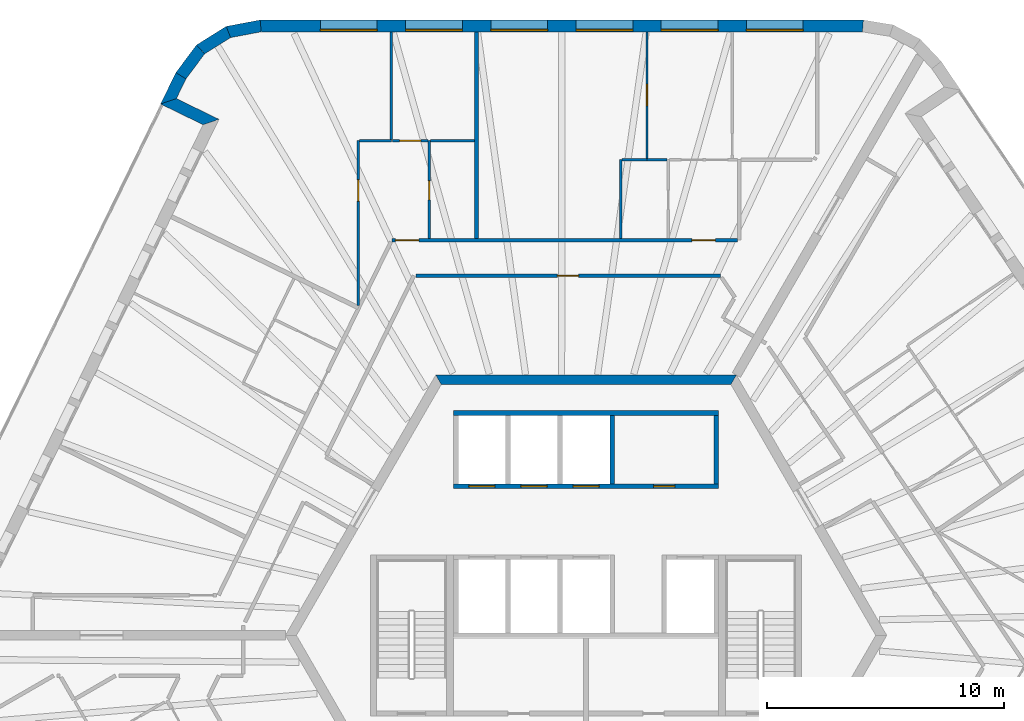
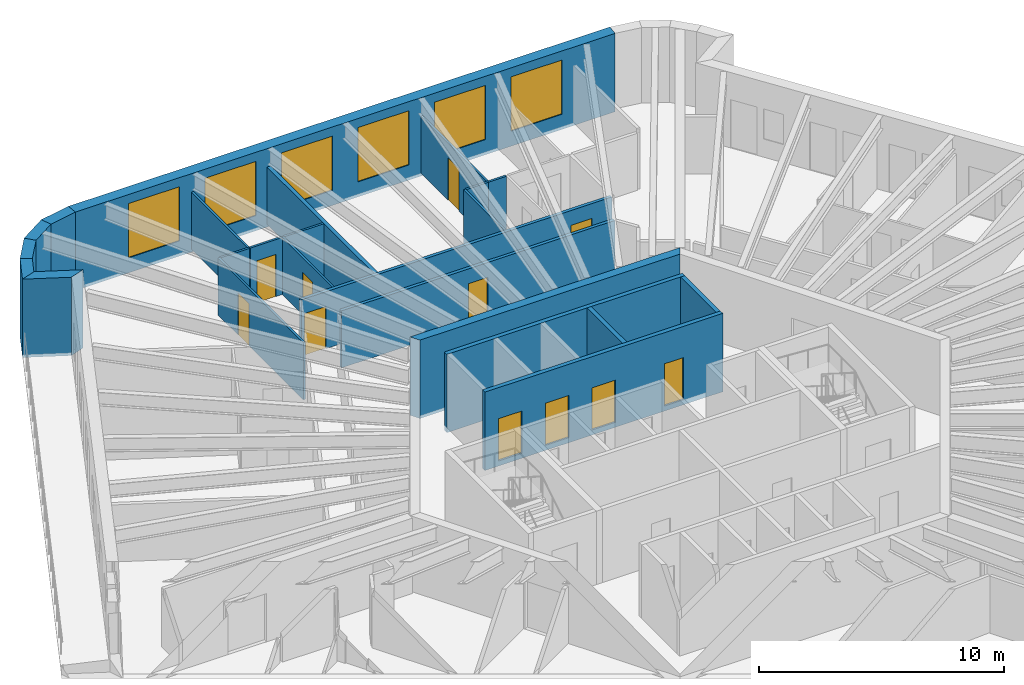
# One storey, part 9 of 12: 24 walls, 11 doors, 6 windows, 17 openings.
"""IFC4 building model written with IfcOpenShell, lengths in metres."""

from ifc_helpers import new_model, si_unit, direction, frame, frame_2d, origin, place, context, subcontext, project, spatial, polyline, rectangle, outline, extrude, material, layer, layer_set, type_object, element, fill, save


model = new_model("IFC4")

# Units and contexts
model_context = context("Model", 3, precision=1e-05, world=origin(), true_north=direction((0.0, 1.0)))
body_context = subcontext(model_context, "Body", "Model", "MODEL_VIEW")
ifc_project = project(units=[si_unit("LENGTHUNIT", "METRE"), si_unit("AREAUNIT", "SQUARE_METRE"), si_unit("VOLUMEUNIT", "CUBIC_METRE"), si_unit("PLANEANGLEUNIT", "RADIAN"), si_unit("MASSUNIT", "GRAM", prefix="KILO")], contexts=[model_context])

# Site, building, storey
site_placement = place(None, origin())
site = spatial("IfcSite", under=ifc_project, at=site_placement, CompositionType="ELEMENT")
building_placement = place(site_placement, origin())
building = spatial("IfcBuilding", under=site, at=building_placement, Name="Tarnside Tower", CompositionType="ELEMENT")
storey_placement = place(building_placement, frame((0.0, 0.0, 330.300048828125)))
storey = spatial("IfcBuildingStorey", under=building, at=storey_placement, Name="L80", CompositionType="ELEMENT", Elevation=330.300048828125)

# Walls
ifc_material_1 = material(Name="Gypsum board partition on steel studs", Category="steel")
ifc_layer_1 = layer(ifc_material_1, 0.10009765625)
ifc_layer_set_1 = layer_set([ifc_layer_1], Name="Bathroom wall 100")
wall_type_1 = type_object("IfcWallType", Name="Bathroom wall 100", PredefinedType="PARTITIONING", material=ifc_layer_set_1)
wall_1_placement = place(storey_placement, frame((1.467041015625, 16.77490234375, 0.0), z_axis=(0.0, 0.0, 1.0), x_axis=(0.0, 1.0, 0.0)))
element("IfcWall", 1, at=wall_1_placement, inside=storey, type_object=wall_type_1, Name="Bathroom wall 26084", PredefinedType="PARTITIONING", context=body_context, shape_type="SweptSolid", body=[
    extrude(rectangle(XDim=3.3251953125, YDim=0.10009765625, at=frame_2d((1.66259765625, 0.0))), origin(), (0.0, 0.0, 1.0), 2.837646484375),
])
wall_2_placement = place(storey_placement, frame((1.51708984375, 20.10009765625, 0.0), z_axis=(0.0, 0.0, 1.0), x_axis=(1.0, 0.0, 0.0)))
element("IfcWall", 2, at=wall_2_placement, inside=storey, type_object=wall_type_1, Name="Bathroom wall 26085", PredefinedType="PARTITIONING", context=body_context, shape_type="SweptSolid", body=[
    extrude(rectangle(XDim=1.06005859375, YDim=0.10009765625, at=frame_2d((0.530029296875, 0.0))), origin(), (0.0, 0.0, 1.0), 2.837646484375),
])
wall_3_placement = place(storey_placement, frame((3.419189453125, 20.10009765625, 0.0), z_axis=(0.0, 0.0, 1.0), x_axis=(-1.0, 0.0, 0.0)))
element("IfcWall", 3, at=wall_3_placement, inside=storey, type_object=wall_type_1, Name="Bathroom wall 26092", PredefinedType="PARTITIONING", context=body_context, shape_type="SweptSolid", body=[
    extrude(rectangle(XDim=0.843994140625, YDim=0.10009765625, at=frame_2d((0.421875, 0.0))), origin(), (0.0, 0.0, 1.0), 2.837646484375),
])

# Wall, opening, door
wall_4_placement = place(storey_placement, frame((-6.624755859375, 16.77490234375, 0.0), z_axis=(0.0, 0.0, 1.0), x_axis=(0.0, 1.0, 0.0)))
wall_4 = element("IfcWall", 4, at=wall_4_placement, inside=storey, type_object=wall_type_1, Name="Bathroom wall 26099", PredefinedType="PARTITIONING", context=body_context, shape_type="SweptSolid", body=[
    extrude(rectangle(XDim=4.125, YDim=0.10009765625, at=frame_2d((2.0625, 0.0))), origin(), (0.0, 0.0, 1.0), 2.837646484375),
])
opening_1_placement = place(wall_4_placement, frame((1.625, 0.0, 0.0)))
opening_1 = element("IfcOpeningElement", 5, at=opening_1_placement, cuts=wall_4, Name="Opening D-B1", PredefinedType="OPENING", context=body_context, shape_type="SweptSolid", body=[
    extrude(rectangle(XDim=0.800048828125, YDim=2.10009765625, at=frame_2d((0.39990234375, 1.050048828125))), frame((0.0, 0.06005859375, 0.0), z_axis=(0.0, -1.0, 0.0), x_axis=(1.0, 0.0, 0.0)), (0.0, 0.0, 1.0), 0.1201171875),
])
ifc_material_2 = material(Name="Timber door leaf", Category="wood")
door_type_1 = type_object("IfcDoorType", Name="Bathroom door 800", OperationType="NOTDEFINED", PredefinedType="DOOR", material=ifc_material_2)
door_1_placement = place(opening_1_placement, origin())
door_1 = element("IfcDoor", 6, at=door_1_placement, inside=storey, type_object=door_type_1, Name="Bathroom door 26011", OperationType="SINGLE_SWING_RIGHT", OverallHeight=2.10009765625, OverallWidth=0.800048828125, PredefinedType="DOOR", context=body_context, shape_type="SweptSolid", body=[
    extrude(rectangle(XDim=0.800048828125, YDim=2.10009765625, at=frame_2d((0.39990234375, 1.050048828125))), frame((0.0, 0.02490234375, 0.0), z_axis=(0.0, -1.0, 0.0), x_axis=(1.0, 0.0, 0.0)), (0.0, 0.0, 1.0), 0.050048828125),
])
fill(opening_1, door_1)

# Walls
wall_5_placement = place(storey_placement, frame((-4.71484375, 20.89990234375, 0.0), z_axis=(0.0, 0.0, 1.0), x_axis=(-1.0, 0.0, 0.0)))
element("IfcWall", 7, at=wall_5_placement, inside=storey, type_object=wall_type_1, Name="Bathroom wall 26101", PredefinedType="PARTITIONING", context=body_context, shape_type="SweptSolid", body=[
    extrude(rectangle(XDim=1.862060546875, YDim=0.10009765625, at=frame_2d((0.93115234375, 0.0))), origin(), (0.0, 0.0, 1.0), 2.837646484375),
])
ifc_material_3 = material(Name="Concrete C60/75", Category="concrete")
ifc_layer_2 = layer(ifc_material_3, 0.39990234375)
ifc_layer_set_2 = layer_set([ifc_layer_2], Name="Core wall Z3 400 C60/75")
wall_type_2 = type_object("IfcWallType", Name="Core wall Z3 400 C60/75", PredefinedType="SHEAR", material=ifc_layer_set_2)
wall_6_placement = place(storey_placement, frame((6.2353515625, 10.800048828125, -0.150146484375), z_axis=(0.0, 0.0, 1.0), x_axis=(-1.0, 0.0, 0.0)))
element("IfcWall", 8, at=wall_6_placement, inside=storey, type_object=wall_type_2, Name="L80 core wall face 1", PredefinedType="SHEAR", context=body_context, shape_type="SweptSolid", body=[
    extrude(outline(polyline([(-0.115478515625, -0.199951171875), (12.586181640625, -0.199951171875), (12.355224609375, 0.199951171875), (0.115478515625, 0.199951171875), (-0.115478515625, -0.199951171875)])), origin(), (0.0, 0.0, 1.0), 3.900146484375),
])

# Wall, openings, doors
ifc_layer_3 = layer(ifc_material_1, 0.14990234375)
ifc_layer_set_3 = layer_set([ifc_layer_3], Name="Corridor wall 150 EI 60")
wall_type_3 = type_object("IfcWallType", Name="Corridor wall 150 EI 60", PredefinedType="PARTITIONING", material=ifc_layer_set_3)
wall_7_placement = place(storey_placement, frame((6.39208984375, 16.699951171875, 0.0), z_axis=(0.0, 0.0, 1.0), x_axis=(-1.0, 0.0, 0.0)))
wall_7 = element("IfcWall", 9, at=wall_7_placement, inside=storey, type_object=wall_type_3, Name="Corridor wall 26001", PredefinedType="PARTITIONING", context=body_context, shape_type="SweptSolid", body=[
    extrude(rectangle(XDim=14.602294921875, YDim=0.14990234375, at=frame_2d((7.30126953125, 0.0))), origin(), (0.0, 0.0, 1.0), 2.837646484375),
])
opening_2_placement = place(wall_7_placement, frame((0.925048828125, 0.0, 0.0)))
opening_2 = element("IfcOpeningElement", 10, at=opening_2_placement, cuts=wall_7, Name="Opening D-E1", PredefinedType="OPENING", context=body_context, shape_type="SweptSolid", body=[
    extrude(rectangle(XDim=1.0, YDim=2.10009765625, at=frame_2d((0.5, 1.050048828125))), frame((0.0, 0.0849609375, 0.0), z_axis=(0.0, -1.0, 0.0), x_axis=(1.0, 0.0, 0.0)), (0.0, 0.0, 1.0), 0.169921875),
])
opening_3_placement = place(wall_7_placement, frame((13.4521484375, 0.0, 0.0)))
opening_3 = element("IfcOpeningElement", 11, at=opening_3_placement, cuts=wall_7, Name="Opening D-E1", PredefinedType="OPENING", context=body_context, shape_type="SweptSolid", body=[
    extrude(rectangle(XDim=1.0, YDim=2.10009765625, at=frame_2d((0.5, 1.050048828125))), frame((0.0, 0.0849609375, 0.0), z_axis=(0.0, -1.0, 0.0), x_axis=(1.0, 0.0, 0.0)), (0.0, 0.0, 1.0), 0.169921875),
])
door_type_2 = type_object("IfcDoorType", Name="Unit entrance door 1000 FD30S", OperationType="NOTDEFINED", PredefinedType="DOOR", material=ifc_material_2)
door_2_placement = place(opening_2_placement, origin())
door_2 = element("IfcDoor", 12, at=door_2_placement, inside=storey, type_object=door_type_2, Name="Unit door 26001", OperationType="SINGLE_SWING_RIGHT", OverallHeight=2.10009765625, OverallWidth=1.0, PredefinedType="DOOR", context=body_context, shape_type="SweptSolid", body=[
    extrude(rectangle(XDim=1.0, YDim=2.10009765625, at=frame_2d((0.5, 1.050048828125))), frame((0.0, 0.02490234375, 0.0), z_axis=(0.0, -1.0, 0.0), x_axis=(1.0, 0.0, 0.0)), (0.0, 0.0, 1.0), 0.050048828125),
])
fill(opening_2, door_2)
door_3_placement = place(opening_3_placement, origin())
door_3 = element("IfcDoor", 13, at=door_3_placement, inside=storey, type_object=door_type_2, Name="Unit door 26010", OperationType="SINGLE_SWING_LEFT", OverallHeight=2.10009765625, OverallWidth=1.0, PredefinedType="DOOR", context=body_context, shape_type="SweptSolid", body=[
    extrude(rectangle(XDim=1.0, YDim=2.10009765625, at=frame_2d((0.5, 1.050048828125))), frame((0.0, 0.02490234375, 0.0), z_axis=(0.0, -1.0, 0.0), x_axis=(1.0, 0.0, 0.0)), (0.0, 0.0, 1.0), 0.050048828125),
])
fill(opening_3, door_3)

# Wall, opening, door
wall_8_placement = place(storey_placement, frame((-7.189453125, 15.199951171875, 0.0), z_axis=(0.0, 0.0, 1.0), x_axis=(1.0, 0.0, 0.0)))
wall_8 = element("IfcWall", 14, at=wall_8_placement, inside=storey, type_object=wall_type_3, Name="Corridor wall 26019", PredefinedType="PARTITIONING", context=body_context, shape_type="SweptSolid", body=[
    extrude(rectangle(XDim=12.85888671875, YDim=0.14990234375, at=frame_2d((6.429443359375, 0.0))), origin(), (0.0, 0.0, 1.0), 2.837646484375),
])
opening_4_placement = place(wall_8_placement, frame((5.9794921875, 0.0, 0.0)))
opening_4 = element("IfcOpeningElement", 15, at=opening_4_placement, cuts=wall_8, Name="Opening D-S1", PredefinedType="OPENING", context=body_context, shape_type="SweptSolid", body=[
    extrude(rectangle(XDim=0.89990234375, YDim=2.10009765625, at=frame_2d((0.449951171875, 1.050048828125))), frame((0.0, 0.0849609375, 0.0), z_axis=(0.0, -1.0, 0.0), x_axis=(1.0, 0.0, 0.0)), (0.0, 0.0, 1.0), 0.169921875),
])
door_type_3 = type_object("IfcDoorType", Name="Service room door 900 FD30S", OperationType="NOTDEFINED", PredefinedType="DOOR", material=ifc_material_2)
door_4_placement = place(opening_4_placement, origin())
door_4 = element("IfcDoor", 16, at=door_4_placement, inside=storey, type_object=door_type_3, Name="Service door 26072", OperationType="SINGLE_SWING_LEFT", OverallHeight=2.10009765625, OverallWidth=0.89990234375, PredefinedType="DOOR", context=body_context, shape_type="SweptSolid", body=[
    extrude(rectangle(XDim=0.89990234375, YDim=2.10009765625, at=frame_2d((0.449951171875, 1.050048828125))), frame((0.0, 0.02490234375, 0.0), z_axis=(0.0, -1.0, 0.0), x_axis=(1.0, 0.0, 0.0)), (0.0, 0.0, 1.0), 0.050048828125),
])
fill(opening_4, door_4)

# Wall
ifc_layer_4 = layer(ifc_material_1, 0.179931640625)
ifc_layer_set_4 = layer_set([ifc_layer_4], Name="Demising wall 180 EI 60")
wall_type_4 = type_object("IfcWallType", Name="Demising wall 180 EI 60", PredefinedType="PARTITIONING", material=ifc_layer_set_4)
wall_9_placement = place(storey_placement, frame((-4.624755859375, 25.5, 0.0), z_axis=(0.0, 0.0, 1.0), x_axis=(0.0, -1.0, 0.0)))
element("IfcWall", 17, at=wall_9_placement, inside=storey, type_object=wall_type_4, Name="Demising wall 26087", PredefinedType="PARTITIONING", context=body_context, shape_type="SweptSolid", body=[
    extrude(rectangle(XDim=8.72509765625, YDim=0.179931640625, at=frame_2d((4.362548828125, 0.0))), origin(), (0.0, 0.0, 1.0), 2.837646484375),
])

# Wall, openings, doors
ifc_material_4 = material(Name="Concrete C40/50", Category="concrete")
ifc_layer_5 = layer(ifc_material_4, 0.199951171875)
ifc_layer_set_5 = layer_set([ifc_layer_5], Name="Lift shaft wall 200 C40/50")
wall_type_5 = type_object("IfcWallType", Name="Lift shaft wall 200 C40/50", PredefinedType="SHEAR", material=ifc_layer_set_5)
wall_10_placement = place(storey_placement, frame((-5.60009765625, 6.300048828125, -0.25), z_axis=(0.0, 0.0, 1.0), x_axis=(1.0, 0.0, 0.0)))
wall_10 = element("IfcWall", 18, at=wall_10_placement, inside=storey, type_object=wall_type_5, Name="L80 lift shaft front wall R1", PredefinedType="SHEAR", context=body_context, shape_type="SweptSolid", body=[
    extrude(rectangle(XDim=11.2001953125, YDim=0.199951171875, at=frame_2d((5.60009765625, 0.0))), origin(), (0.0, 0.0, 1.0), 3.89990234375),
])
opening_5_placement = place(wall_10_placement, frame((8.449951171875, 0.0, 0.25)))
opening_5 = element("IfcOpeningElement", 19, at=opening_5_placement, cuts=wall_10, Name="Opening CD-room", PredefinedType="OPENING", context=body_context, shape_type="SweptSolid", body=[
    extrude(rectangle(XDim=0.89990234375, YDim=2.10009765625, at=frame_2d((0.449951171875, 1.050048828125))), frame((0.0, 0.10986328125, 0.0), z_axis=(0.0, -1.0, 0.0), x_axis=(1.0, 0.0, 0.0)), (0.0, 0.0, 1.0), 0.219970703125),
])
opening_6_placement = place(wall_10_placement, frame((0.64990234375, 0.0, 0.25)))
opening_6 = element("IfcOpeningElement", 20, at=opening_6_placement, cuts=wall_10, Name="Opening LD", PredefinedType="OPENING", context=body_context, shape_type="SweptSolid", body=[
    extrude(rectangle(XDim=1.10009765625, YDim=2.10009765625, at=frame_2d((0.550048828125, 1.050048828125))), frame((0.0, 0.10986328125, 0.0), z_axis=(0.0, -1.0, 0.0), x_axis=(1.0, 0.0, 0.0)), (0.0, 0.0, 1.0), 0.219970703125),
])
opening_7_placement = place(wall_10_placement, frame((2.85009765625, 0.0, 0.25)))
opening_7 = element("IfcOpeningElement", 21, at=opening_7_placement, cuts=wall_10, Name="Opening LD", PredefinedType="OPENING", context=body_context, shape_type="SweptSolid", body=[
    extrude(rectangle(XDim=1.10009765625, YDim=2.10009765625, at=frame_2d((0.550048828125, 1.050048828125))), frame((0.0, 0.10986328125, 0.0), z_axis=(0.0, -1.0, 0.0), x_axis=(1.0, 0.0, 0.0)), (0.0, 0.0, 1.0), 0.219970703125),
])
opening_8_placement = place(wall_10_placement, frame((5.050048828125, 0.0, 0.25)))
opening_8 = element("IfcOpeningElement", 22, at=opening_8_placement, cuts=wall_10, Name="Opening LD", PredefinedType="OPENING", context=body_context, shape_type="SweptSolid", body=[
    extrude(rectangle(XDim=1.10009765625, YDim=2.10009765625, at=frame_2d((0.550048828125, 1.050048828125))), frame((0.0, 0.10986328125, 0.0), z_axis=(0.0, -1.0, 0.0), x_axis=(1.0, 0.0, 0.0)), (0.0, 0.0, 1.0), 0.219970703125),
])
ifc_material_5 = material(Name="Stainless steel", Category="steel")
door_type_4 = type_object("IfcDoorType", Name="Lift landing door 1100x2100", OperationType="NOTDEFINED", PredefinedType="DOOR", material=ifc_material_5)
door_5_placement = place(opening_6_placement, origin())
door_5 = element("IfcDoor", 23, at=door_5_placement, inside=storey, type_object=door_type_4, Name="High-rise lift 1 landing door L80", OperationType="SLIDING_TO_LEFT", OverallHeight=2.10009765625, OverallWidth=1.10009765625, PredefinedType="DOOR", context=body_context, shape_type="SweptSolid", body=[
    extrude(rectangle(XDim=1.10009765625, YDim=2.10009765625, at=frame_2d((0.550048828125, 1.050048828125))), frame((0.0, 0.02490234375, 0.0), z_axis=(0.0, -1.0, 0.0), x_axis=(1.0, 0.0, 0.0)), (0.0, 0.0, 1.0), 0.050048828125),
])
fill(opening_6, door_5)
door_6_placement = place(opening_7_placement, origin())
door_6 = element("IfcDoor", 24, at=door_6_placement, inside=storey, type_object=door_type_4, Name="High-rise lift 2 landing door L80", OperationType="SLIDING_TO_LEFT", OverallHeight=2.10009765625, OverallWidth=1.10009765625, PredefinedType="DOOR", context=body_context, shape_type="SweptSolid", body=[
    extrude(rectangle(XDim=1.10009765625, YDim=2.10009765625, at=frame_2d((0.550048828125, 1.050048828125))), frame((0.0, 0.02490234375, 0.0), z_axis=(0.0, -1.0, 0.0), x_axis=(1.0, 0.0, 0.0)), (0.0, 0.0, 1.0), 0.050048828125),
])
fill(opening_7, door_6)
door_7_placement = place(opening_8_placement, origin())
door_7 = element("IfcDoor", 25, at=door_7_placement, inside=storey, type_object=door_type_4, Name="High-rise lift 3 landing door L80", OperationType="SLIDING_TO_LEFT", OverallHeight=2.10009765625, OverallWidth=1.10009765625, PredefinedType="DOOR", context=body_context, shape_type="SweptSolid", body=[
    extrude(rectangle(XDim=1.10009765625, YDim=2.10009765625, at=frame_2d((0.550048828125, 1.050048828125))), frame((0.0, 0.02490234375, 0.0), z_axis=(0.0, -1.0, 0.0), x_axis=(1.0, 0.0, 0.0)), (0.0, 0.0, 1.0), 0.050048828125),
])
fill(opening_8, door_7)
ifc_material_6 = material(Name="Steel fire door", Category="steel")
door_type_5 = type_object("IfcDoorType", Name="Room door FD60 900x2100", OperationType="NOTDEFINED", PredefinedType="DOOR", material=ifc_material_6)
door_8_placement = place(opening_5_placement, origin())
door_8 = element("IfcDoor", 26, at=door_8_placement, inside=storey, type_object=door_type_5, Name="L80 core room door FC1", OperationType="SINGLE_SWING_LEFT", OverallHeight=2.10009765625, OverallWidth=0.89990234375, PredefinedType="DOOR", context=body_context, shape_type="SweptSolid", body=[
    extrude(rectangle(XDim=0.89990234375, YDim=2.10009765625, at=frame_2d((0.449951171875, 1.050048828125))), frame((0.0, 0.02490234375, 0.0), z_axis=(0.0, -1.0, 0.0), x_axis=(1.0, 0.0, 0.0)), (0.0, 0.0, 1.0), 0.050048828125),
])
fill(opening_5, door_8)

# Walls
wall_11_placement = place(storey_placement, frame((-5.60009765625, 9.39990234375, -0.25), z_axis=(0.0, 0.0, 1.0), x_axis=(1.0, 0.0, 0.0)))
element("IfcWall", 27, at=wall_11_placement, inside=storey, type_object=wall_type_5, Name="L80 lift shaft back wall R1", PredefinedType="SHEAR", context=body_context, shape_type="SweptSolid", body=[
    extrude(rectangle(XDim=11.2001953125, YDim=0.199951171875, at=frame_2d((5.60009765625, 0.0))), origin(), (0.0, 0.0, 1.0), 3.89990234375),
])
for number, where, z_axis, x_axis, name in (
    (28, (1.10009765625, 6.39990234375, -0.25), (0.0, 0.0, 1.0), (0.0, 1.0, 0.0), "L80 lift shaft partition R14"),
    (29, (5.5, 6.39990234375, -0.25), (0.0, 0.0, 1.0), (0.0, 1.0, 0.0), "L80 lift shaft partition R16"),
):
    element("IfcWall", number, at=place(storey_placement, frame(where, z_axis=z_axis, x_axis=x_axis)), inside=storey, type_object=wall_type_5, Name=name, PredefinedType="SHEAR", context=body_context, shape_type="SweptSolid", body=[
        extrude(rectangle(XDim=2.900146484375, YDim=0.199951171875, at=frame_2d((1.4501953125, 0.0))), origin(), (0.0, 0.0, 1.0), 3.89990234375),
    ])
ifc_material_7 = material(Name="Dark zinc cladding")
ifc_layer_6 = layer(ifc_material_7, 0.10205078125)
ifc_material_8 = material(Name="Concrete C60/75 precast", Category="concrete")
ifc_layer_7 = layer(ifc_material_8, 0.298095703125)
ifc_material_9 = material(Name="Mineral wool insulation")
ifc_layer_8 = layer(ifc_material_9, 0.10009765625)
ifc_layer_set_6 = layer_set([ifc_layer_6, ifc_layer_7, ifc_layer_8], Name="Loggia wall 500 zinc faced")
wall_type_6 = type_object("IfcWallType", Name="Loggia wall 500 zinc faced", PredefinedType="SOLIDWALL", material=ifc_layer_set_6)
wall_12_placement = place(storey_placement, frame((-17.11767578125, 23.643798828125, -0.150146484375), z_axis=(0.0, 0.0, 1.0), x_axis=(-0.438319390103, -0.898819287877, 0.0)))
element("IfcWall", 30, at=wall_12_placement, inside=storey, type_object=wall_type_6, Name="Tube wall L80 F2 stub 04", PredefinedType="SOLIDWALL", context=body_context, shape_type="SweptSolid", body=[
    extrude(outline(polyline([(-0.0234375, -0.25), (1.44970703125, -0.25), (0.94970703125, 0.25), (0.0234375, 0.25), (-0.0234375, -0.25)])), origin(), (0.0, 0.0, 1.0), 3.900146484375),
])
wall_13_placement = place(storey_placement, frame((-17.6435546875, 22.5654296875, -0.150146484375), z_axis=(0.0, 0.0, 1.0), x_axis=(0.898754367686, -0.43845249066, 0.0)))
element("IfcWall", 31, at=wall_13_placement, inside=storey, type_object=wall_type_6, Name="Tube wall L80 F2 return 05", PredefinedType="SOLIDWALL", context=body_context, shape_type="SweptSolid", body=[
    extrude(outline(polyline([(-0.25, -0.25), (1.75, -0.25), (2.25, 0.25), (0.25, 0.25), (-0.25, -0.25)])), origin(), (0.0, 0.0, 1.0), 3.900146484375),
])

# Wall, opening, door
ifc_layer_9 = layer(ifc_material_1, 0.10009765625)
ifc_layer_set_7 = layer_set([ifc_layer_9], Name="Partition 100")
wall_type_7 = type_object("IfcWallType", Name="Partition 100", PredefinedType="PARTITIONING", material=ifc_layer_set_7)
wall_14_placement = place(storey_placement, frame((2.5751953125, 20.14990234375, 0.0), z_axis=(0.0, 0.0, 1.0), x_axis=(0.0, 1.0, 0.0)))
wall_14 = element("IfcWall", 32, at=wall_14_placement, inside=storey, type_object=wall_type_7, Name="Partition wall 26086", PredefinedType="PARTITIONING", context=body_context, shape_type="SweptSolid", body=[
    extrude(rectangle(XDim=5.35009765625, YDim=0.10009765625, at=frame_2d((2.675048828125, 0.0))), origin(), (0.0, 0.0, 1.0), 2.837646484375),
])
opening_9_placement = place(wall_14_placement, frame((2.22509765625, 0.0, 0.0)))
opening_9 = element("IfcOpeningElement", 33, at=opening_9_placement, cuts=wall_14, Name="Opening D-I1", PredefinedType="OPENING", context=body_context, shape_type="SweptSolid", body=[
    extrude(rectangle(XDim=0.89990234375, YDim=2.10009765625, at=frame_2d((0.449951171875, 1.050048828125))), frame((0.0, 0.06005859375, 0.0), z_axis=(0.0, -1.0, 0.0), x_axis=(1.0, 0.0, 0.0)), (0.0, 0.0, 1.0), 0.1201171875),
])
door_type_6 = type_object("IfcDoorType", Name="Internal door 900", OperationType="NOTDEFINED", PredefinedType="DOOR", material=ifc_material_2)
door_9_placement = place(opening_9_placement, origin())
door_9 = element("IfcDoor", 34, at=door_9_placement, inside=storey, type_object=door_type_6, Name="Internal door 26070", OperationType="SINGLE_SWING_LEFT", OverallHeight=2.10009765625, OverallWidth=0.89990234375, PredefinedType="DOOR", context=body_context, shape_type="SweptSolid", body=[
    extrude(rectangle(XDim=0.89990234375, YDim=2.10009765625, at=frame_2d((0.449951171875, 1.050048828125))), frame((0.0, 0.02490234375, 0.0), z_axis=(0.0, -1.0, 0.0), x_axis=(1.0, 0.0, 0.0)), (0.0, 0.0, 1.0), 0.050048828125),
])
fill(opening_9, door_9)

wall_15_placement = place(storey_placement, frame((-9.624755859375, 13.9453125, 0.0), z_axis=(0.0, 0.0, 1.0), x_axis=(0.0, 1.0, 0.0)))
wall_15 = element("IfcWall", 35, at=wall_15_placement, inside=storey, type_object=wall_type_7, Name="Partition wall 26094", PredefinedType="PARTITIONING", context=body_context, shape_type="SweptSolid", body=[
    extrude(rectangle(XDim=6.95458984375, YDim=0.10009765625, at=frame_2d((3.477294921875, 0.0))), origin(), (0.0, 0.0, 1.0), 2.837646484375),
])
opening_10_placement = place(wall_15_placement, frame((4.40478515625, 0.0, 0.0)))
opening_10 = element("IfcOpeningElement", 36, at=opening_10_placement, cuts=wall_15, Name="Opening D-I1", PredefinedType="OPENING", context=body_context, shape_type="SweptSolid", body=[
    extrude(rectangle(XDim=0.89990234375, YDim=2.10009765625, at=frame_2d((0.449951171875, 1.050048828125))), frame((0.0, 0.06005859375, 0.0), z_axis=(0.0, -1.0, 0.0), x_axis=(1.0, 0.0, 0.0)), (0.0, 0.0, 1.0), 0.1201171875),
])
door_10_placement = place(opening_10_placement, origin())
door_10 = element("IfcDoor", 37, at=door_10_placement, inside=storey, type_object=door_type_6, Name="Internal door 26012", OperationType="SINGLE_SWING_LEFT", OverallHeight=2.10009765625, OverallWidth=0.89990234375, PredefinedType="DOOR", context=body_context, shape_type="SweptSolid", body=[
    extrude(rectangle(XDim=0.89990234375, YDim=2.10009765625, at=frame_2d((0.449951171875, 1.050048828125))), frame((0.0, 0.02490234375, 0.0), z_axis=(0.0, -1.0, 0.0), x_axis=(1.0, 0.0, 0.0)), (0.0, 0.0, 1.0), 0.050048828125),
])
fill(opening_10, door_10)

# Walls
wall_16_placement = place(storey_placement, frame((-9.57470703125, 20.89990234375, 0.0), z_axis=(0.0, 0.0, 1.0), x_axis=(1.0, 0.0, 0.0)))
element("IfcWall", 38, at=wall_16_placement, inside=storey, type_object=wall_type_7, Name="Partition wall 26095", PredefinedType="PARTITIONING", context=body_context, shape_type="SweptSolid", body=[
    extrude(rectangle(XDim=1.351806640625, YDim=0.10009765625, at=frame_2d((0.67578125, 0.0))), origin(), (0.0, 0.0, 1.0), 2.837646484375),
])
wall_17_placement = place(storey_placement, frame((-8.224853515625, 20.949951171875, 0.0), z_axis=(0.0, 0.0, 1.0), x_axis=(0.0, 1.0, 0.0)))
element("IfcWall", 39, at=wall_17_placement, inside=storey, type_object=wall_type_7, Name="Partition wall 26096", PredefinedType="PARTITIONING", context=body_context, shape_type="SweptSolid", body=[
    extrude(rectangle(XDim=4.550048828125, YDim=0.10009765625, at=frame_2d((2.27490234375, 0.0))), origin(), (0.0, 0.0, 1.0), 2.837646484375),
])

# Wall, opening, door
wall_18_placement = place(storey_placement, frame((-6.6728515625, 20.89990234375, 0.0), z_axis=(0.0, 0.0, 1.0), x_axis=(-1.0, 0.0, 0.0)))
wall_18 = element("IfcWall", 40, at=wall_18_placement, inside=storey, type_object=wall_type_7, Name="Partition wall 26100", PredefinedType="PARTITIONING", context=body_context, shape_type="SweptSolid", body=[
    extrude(rectangle(XDim=1.501953125, YDim=0.10009765625, at=frame_2d((0.7509765625, 0.0))), origin(), (0.0, 0.0, 1.0), 2.837646484375),
])
opening_11_placement = place(wall_18_placement, frame((0.302001953125, 0.0, 0.0)))
opening_11 = element("IfcOpeningElement", 41, at=opening_11_placement, cuts=wall_18, Name="Opening D-I1", PredefinedType="OPENING", context=body_context, shape_type="SweptSolid", body=[
    extrude(rectangle(XDim=0.89990234375, YDim=2.10009765625, at=frame_2d((0.449951171875, 1.050048828125))), frame((0.0, 0.06005859375, 0.0), z_axis=(0.0, -1.0, 0.0), x_axis=(1.0, 0.0, 0.0)), (0.0, 0.0, 1.0), 0.1201171875),
])
door_11_placement = place(opening_11_placement, origin())
door_11 = element("IfcDoor", 42, at=door_11_placement, inside=storey, type_object=door_type_6, Name="Internal door 26013", OperationType="SINGLE_SWING_RIGHT", OverallHeight=2.10009765625, OverallWidth=0.89990234375, PredefinedType="DOOR", context=body_context, shape_type="SweptSolid", body=[
    extrude(rectangle(XDim=0.89990234375, YDim=2.10009765625, at=frame_2d((0.449951171875, 1.050048828125))), frame((0.0, 0.02490234375, 0.0), z_axis=(0.0, -1.0, 0.0), x_axis=(1.0, 0.0, 0.0)), (0.0, 0.0, 1.0), 0.050048828125),
])
fill(opening_11, door_11)

# Wall, openings, windows
ifc_material_10 = material(Name="Facing brick", Category="masonry")
ifc_layer_10 = layer(ifc_material_10, 0.10205078125)
ifc_layer_11 = layer(ifc_material_8, 0.298095703125)
ifc_layer_12 = layer(ifc_material_9, 0.10009765625)
ifc_layer_set_8 = layer_set([ifc_layer_10, ifc_layer_11, ifc_layer_12], Name="Tube wall 500 brick faced")
wall_type_8 = type_object("IfcWallType", Name="Tube wall 500 brick faced", PredefinedType="SOLIDWALL", material=ifc_layer_set_8)
wall_19_placement = place(storey_placement, frame((11.697509765625, 25.75, -0.150146484375), z_axis=(0.0, 0.0, 1.0), x_axis=(-1.0, 0.0, 0.0)))
wall_19 = element("IfcWall", 43, at=wall_19_placement, inside=storey, type_object=wall_type_8, Name="Tube wall L80 F1 flush 00", PredefinedType="SOLIDWALL", context=body_context, shape_type="SweptSolid", body=[
    extrude(outline(polyline([(-0.0205078125, -0.25), (25.468017578125, -0.25), (25.421142578125, 0.25), (0.0205078125, 0.25), (-0.0205078125, -0.25)])), origin(), (0.0, 0.0, 1.0), 3.900146484375),
])
opening_12_placement = place(wall_19_placement, frame((2.5224609375, 0.0, 0.75)))
opening_12 = element("IfcOpeningElement", 44, at=opening_12_placement, cuts=wall_19, Name="Opening WR", PredefinedType="OPENING", context=body_context, shape_type="SweptSolid", body=[
    extrude(rectangle(XDim=2.39990234375, YDim=2.699951171875, at=frame_2d((1.199951171875, 1.35009765625))), frame((0.0, 0.260009765625, 0.0), z_axis=(0.0, -1.0, 0.0), x_axis=(1.0, 0.0, 0.0)), (0.0, 0.0, 1.0), 0.52001953125),
])
opening_13_placement = place(wall_19_placement, frame((6.122314453125, 0.0, 0.75)))
opening_13 = element("IfcOpeningElement", 45, at=opening_13_placement, cuts=wall_19, Name="Opening WR", PredefinedType="OPENING", context=body_context, shape_type="SweptSolid", body=[
    extrude(rectangle(XDim=2.39990234375, YDim=2.699951171875, at=frame_2d((1.199951171875, 1.35009765625))), frame((0.0, 0.260009765625, 0.0), z_axis=(0.0, -1.0, 0.0), x_axis=(1.0, 0.0, 0.0)), (0.0, 0.0, 1.0), 0.52001953125),
])
opening_14_placement = place(wall_19_placement, frame((9.722412109375, 0.0, 0.75)))
opening_14 = element("IfcOpeningElement", 46, at=opening_14_placement, cuts=wall_19, Name="Opening WR", PredefinedType="OPENING", context=body_context, shape_type="SweptSolid", body=[
    extrude(rectangle(XDim=2.39990234375, YDim=2.699951171875, at=frame_2d((1.199951171875, 1.35009765625))), frame((0.0, 0.260009765625, 0.0), z_axis=(0.0, -1.0, 0.0), x_axis=(1.0, 0.0, 0.0)), (0.0, 0.0, 1.0), 0.52001953125),
])
opening_15_placement = place(wall_19_placement, frame((13.322509765625, 0.0, 0.75)))
opening_15 = element("IfcOpeningElement", 47, at=opening_15_placement, cuts=wall_19, Name="Opening WR", PredefinedType="OPENING", context=body_context, shape_type="SweptSolid", body=[
    extrude(rectangle(XDim=2.39990234375, YDim=2.699951171875, at=frame_2d((1.199951171875, 1.35009765625))), frame((0.0, 0.260009765625, 0.0), z_axis=(0.0, -1.0, 0.0), x_axis=(1.0, 0.0, 0.0)), (0.0, 0.0, 1.0), 0.52001953125),
])
opening_16_placement = place(wall_19_placement, frame((16.92236328125, 0.0, 0.75)))
opening_16 = element("IfcOpeningElement", 48, at=opening_16_placement, cuts=wall_19, Name="Opening WR", PredefinedType="OPENING", context=body_context, shape_type="SweptSolid", body=[
    extrude(rectangle(XDim=2.39990234375, YDim=2.699951171875, at=frame_2d((1.199951171875, 1.35009765625))), frame((0.0, 0.260009765625, 0.0), z_axis=(0.0, -1.0, 0.0), x_axis=(1.0, 0.0, 0.0)), (0.0, 0.0, 1.0), 0.52001953125),
])
opening_17_placement = place(wall_19_placement, frame((20.5224609375, 0.0, 0.75)))
opening_17 = element("IfcOpeningElement", 49, at=opening_17_placement, cuts=wall_19, Name="Opening WR", PredefinedType="OPENING", context=body_context, shape_type="SweptSolid", body=[
    extrude(rectangle(XDim=2.39990234375, YDim=2.699951171875, at=frame_2d((1.199951171875, 1.35009765625))), frame((0.0, 0.260009765625, 0.0), z_axis=(0.0, -1.0, 0.0), x_axis=(1.0, 0.0, 0.0)), (0.0, 0.0, 1.0), 0.52001953125),
])
ifc_material_11 = material(Name="Aluminium-framed double glazing", Category="aluminium")
window_type = type_object("IfcWindowType", Name="Residence window 2400 x 2700", PartitioningType="DOUBLE_PANEL_VERTICAL", PredefinedType="WINDOW", material=ifc_material_11)
window_1_placement = place(opening_12_placement, frame((0.0, 0.179931640625, 0.0)))
window_1 = element("IfcWindow", 50, at=window_1_placement, inside=storey, type_object=window_type, Name="E.WN.L80.F1.00", OverallHeight=2.699951171875, OverallWidth=2.39990234375, PartitioningType="DOUBLE_PANEL_VERTICAL", PredefinedType="WINDOW", context=body_context, shape_type="SweptSolid", body=[
    extrude(rectangle(XDim=2.39990234375, YDim=2.699951171875, at=frame_2d((1.199951171875, 1.35009765625))), frame((0.0, 0.030029296875, 0.0), z_axis=(0.0, -1.0, 0.0), x_axis=(1.0, 0.0, 0.0)), (0.0, 0.0, 1.0), 0.06005859375),
])
fill(opening_12, window_1)
window_2_placement = place(opening_13_placement, frame((0.0, 0.179931640625, 0.0)))
window_2 = element("IfcWindow", 51, at=window_2_placement, inside=storey, type_object=window_type, Name="E.WN.L80.F1.01", OverallHeight=2.699951171875, OverallWidth=2.39990234375, PartitioningType="DOUBLE_PANEL_VERTICAL", PredefinedType="WINDOW", context=body_context, shape_type="SweptSolid", body=[
    extrude(rectangle(XDim=2.39990234375, YDim=2.699951171875, at=frame_2d((1.199951171875, 1.35009765625))), frame((0.0, 0.030029296875, 0.0), z_axis=(0.0, -1.0, 0.0), x_axis=(1.0, 0.0, 0.0)), (0.0, 0.0, 1.0), 0.06005859375),
])
fill(opening_13, window_2)
window_3_placement = place(opening_14_placement, frame((0.0, 0.179931640625, 0.0)))
window_3 = element("IfcWindow", 52, at=window_3_placement, inside=storey, type_object=window_type, Name="E.WN.L80.F1.02", OverallHeight=2.699951171875, OverallWidth=2.39990234375, PartitioningType="DOUBLE_PANEL_VERTICAL", PredefinedType="WINDOW", context=body_context, shape_type="SweptSolid", body=[
    extrude(rectangle(XDim=2.39990234375, YDim=2.699951171875, at=frame_2d((1.199951171875, 1.35009765625))), frame((0.0, 0.030029296875, 0.0), z_axis=(0.0, -1.0, 0.0), x_axis=(1.0, 0.0, 0.0)), (0.0, 0.0, 1.0), 0.06005859375),
])
fill(opening_14, window_3)
window_4_placement = place(opening_15_placement, frame((0.0, 0.179931640625, 0.0)))
window_4 = element("IfcWindow", 53, at=window_4_placement, inside=storey, type_object=window_type, Name="E.WN.L80.F1.03", OverallHeight=2.699951171875, OverallWidth=2.39990234375, PartitioningType="DOUBLE_PANEL_VERTICAL", PredefinedType="WINDOW", context=body_context, shape_type="SweptSolid", body=[
    extrude(rectangle(XDim=2.39990234375, YDim=2.699951171875, at=frame_2d((1.199951171875, 1.35009765625))), frame((0.0, 0.030029296875, 0.0), z_axis=(0.0, -1.0, 0.0), x_axis=(1.0, 0.0, 0.0)), (0.0, 0.0, 1.0), 0.06005859375),
])
fill(opening_15, window_4)
window_5_placement = place(opening_16_placement, frame((0.0, 0.179931640625, 0.0)))
window_5 = element("IfcWindow", 54, at=window_5_placement, inside=storey, type_object=window_type, Name="E.WN.L80.F1.04", OverallHeight=2.699951171875, OverallWidth=2.39990234375, PartitioningType="DOUBLE_PANEL_VERTICAL", PredefinedType="WINDOW", context=body_context, shape_type="SweptSolid", body=[
    extrude(rectangle(XDim=2.39990234375, YDim=2.699951171875, at=frame_2d((1.199951171875, 1.35009765625))), frame((0.0, 0.030029296875, 0.0), z_axis=(0.0, -1.0, 0.0), x_axis=(1.0, 0.0, 0.0)), (0.0, 0.0, 1.0), 0.06005859375),
])
fill(opening_16, window_5)
window_6_placement = place(opening_17_placement, frame((0.0, 0.179931640625, 0.0)))
window_6 = element("IfcWindow", 55, at=window_6_placement, inside=storey, type_object=window_type, Name="E.WN.L80.F1.05", OverallHeight=2.699951171875, OverallWidth=2.39990234375, PartitioningType="DOUBLE_PANEL_VERTICAL", PredefinedType="WINDOW", context=body_context, shape_type="SweptSolid", body=[
    extrude(rectangle(XDim=2.39990234375, YDim=2.699951171875, at=frame_2d((1.199951171875, 1.35009765625))), frame((0.0, 0.030029296875, 0.0), z_axis=(0.0, -1.0, 0.0), x_axis=(1.0, 0.0, 0.0)), (0.0, 0.0, 1.0), 0.06005859375),
])
fill(opening_17, window_6)

# Walls
wall_20_placement = place(storey_placement, frame((-13.7470703125, 25.75, -0.150146484375), z_axis=(0.0, 0.0, 1.0), x_axis=(-0.982736538448, -0.185010529429, 0.0)))
element("IfcWall", 56, at=wall_20_placement, inside=storey, type_object=wall_type_8, Name="Tube wall L80 F1 chord 01", PredefinedType="SOLIDWALL", context=body_context, shape_type="SweptSolid", body=[
    extrude(outline(polyline([(-0.0234375, -0.25), (1.435302734375, -0.25), (1.341064453125, 0.25), (0.0234375, 0.25), (-0.0234375, -0.25)])), origin(), (0.0, 0.0, 1.0), 3.900146484375),
])
wall_21_placement = place(storey_placement, frame((-15.111328125, 25.4931640625, -0.150146484375), z_axis=(0.0, 0.0, 1.0), x_axis=(-0.847978544293, -0.530030554231, 0.0)))
element("IfcWall", 57, at=wall_21_placement, inside=storey, type_object=wall_type_8, Name="Tube wall L80 F1 chord 02", PredefinedType="SOLIDWALL", context=body_context, shape_type="SweptSolid", body=[
    extrude(outline(polyline([(-0.047119140625, -0.25), (1.435302734375, -0.25), (1.341064453125, 0.25), (0.047119140625, 0.25), (-0.047119140625, -0.25)])), origin(), (0.0, 0.0, 1.0), 3.900146484375),
])
wall_22_placement = place(storey_placement, frame((-16.28857421875, 24.75732421875, -0.150146484375), z_axis=(0.0, 0.0, 1.0), x_axis=(-0.597210785942, -0.802084332945, 0.0)))
element("IfcWall", 58, at=wall_22_placement, inside=storey, type_object=wall_type_8, Name="Tube wall L80 F1 chord 03", PredefinedType="SOLIDWALL", context=body_context, shape_type="SweptSolid", body=[
    extrude(outline(polyline([(-0.047119140625, -0.25), (1.41162109375, -0.25), (1.36474609375, 0.25), (0.047119140625, 0.25), (-0.047119140625, -0.25)])), origin(), (0.0, 0.0, 1.0), 3.900146484375),
])

save(model, "model.ifc")
